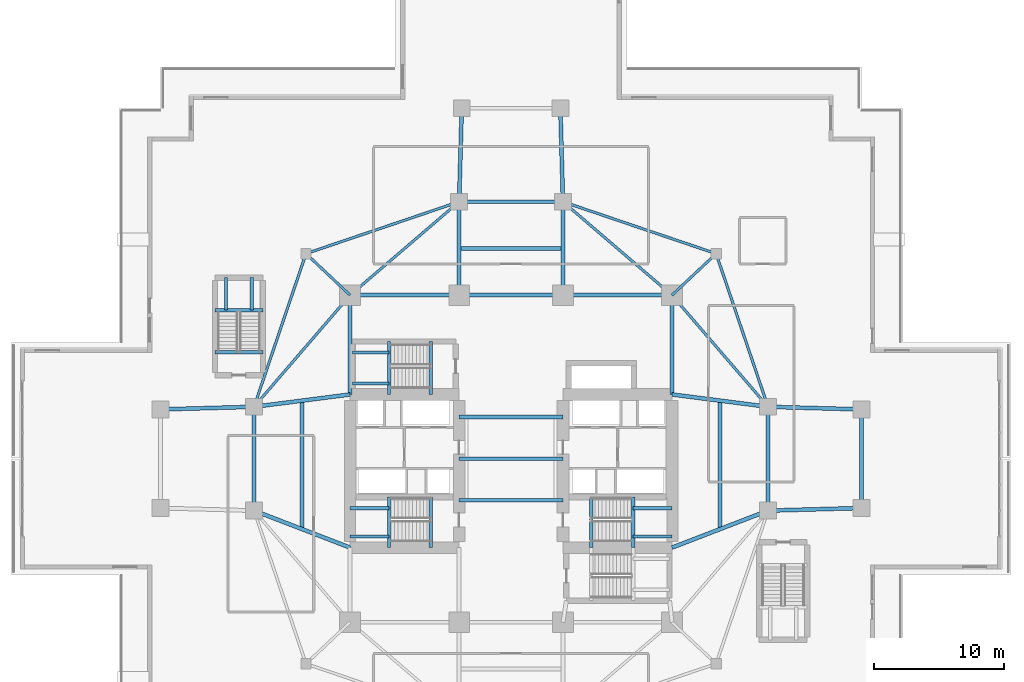
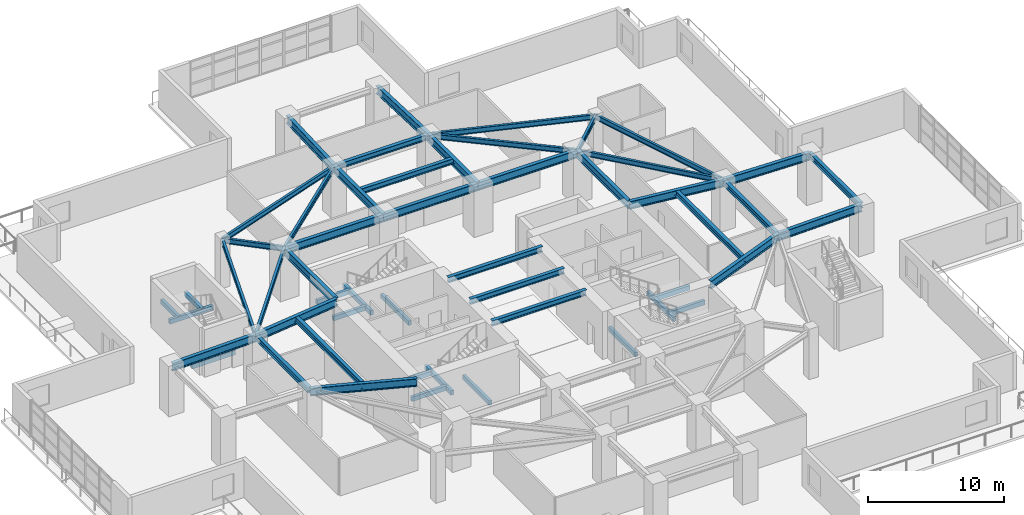
# One storey, part 7 of 23: 52 beams.
"""IFC4 building model written with IfcOpenShell, lengths in metres."""

from ifc_helpers import new_model, si_unit, direction, frame, origin, origin_2d, place, context, subcontext, project, spatial, rectangle, i_section, extrude, material, material_profile, profile_set, type_object, element, save


model = new_model("IFC4")

# Units and contexts
model_context = context("Model", 3, precision=1e-05, world=origin(), true_north=direction((0.0, 1.0)))
body_context = subcontext(model_context, "Body", "Model", "MODEL_VIEW")
ifc_project = project(units=[si_unit("LENGTHUNIT", "METRE"), si_unit("AREAUNIT", "SQUARE_METRE"), si_unit("VOLUMEUNIT", "CUBIC_METRE"), si_unit("PLANEANGLEUNIT", "RADIAN"), si_unit("MASSUNIT", "GRAM", prefix="KILO")], contexts=[model_context])

# Site, building, storey
site_placement = place(None, origin())
site = spatial("IfcSite", under=ifc_project, at=site_placement, CompositionType="ELEMENT")
building_placement = place(site_placement, origin())
building = spatial("IfcBuilding", under=site, at=building_placement, Name="Qingluan Cross Belvedere", CompositionType="ELEMENT")
storey_placement = place(building_placement, frame((0.0, 0.0, 10.199951171875)))
storey = spatial("IfcBuildingStorey", under=building, at=storey_placement, Name="L03", CompositionType="ELEMENT", Elevation=10.199951171875)

# Beams
ifc_material_1 = material(Name="Concrete C45", Category="concrete")
ifc_material_profile_1 = material_profile(ifc_material_1, rectangle(XDim=0.25, YDim=0.39990234375, at=origin_2d()), Name="RC250x400")
ifc_profile_set_1 = profile_set([ifc_material_profile_1], Name="Concrete C45")
beam_type_1 = type_object("IfcBeamType", Name="RC_Lintel_RC250x400", PredefinedType="LINTEL", material=ifc_profile_set_1)
for number, where, z_axis, x_axis, name in (
    (1, (-6.179931640625, -6.85009765625, -0.199951171875), (0.0, 1.0, 0.0), (-1.0, 0.0, 0.0), "Stair ST1 landing beam L03"),
    (2, (6.179931640625, -6.85009765625, -0.199951171875), (0.0, 1.0, 0.0), (-1.0, 0.0, 0.0), "Stair ST2 landing beam L03"),
):
    element("IfcBeam", number, at=place(storey_placement, frame(where, z_axis=z_axis, x_axis=x_axis)), inside=storey, type_object=beam_type_1, Name=name, PredefinedType="LINTEL", context=body_context, shape_type="SweptSolid", body=[
        extrude(rectangle(XDim=0.25, YDim=0.39990234375, at=origin_2d()), origin(), (0.0, 0.0, 1.0), 3.89013671875),
    ])
beam_1_placement = place(storey_placement, frame((-6.179931640625, 4.949951171875, -0.199951171875), z_axis=(0.0, 1.0, 0.0), x_axis=(-1.0, 0.0, 0.0)))
element("IfcBeam", 3, at=beam_1_placement, inside=storey, type_object=beam_type_1, Name="Stair ST3 landing beam L03", PredefinedType="LINTEL", context=body_context, shape_type="SweptSolid", body=[
    extrude(rectangle(XDim=0.25, YDim=0.39990234375, at=origin_2d()), origin(), (0.0, 0.0, 1.0), 4.090087890625),
])
beam_2_placement = place(storey_placement, frame((-22.820068359375, 8.2099609375, -0.199951171875), z_axis=(1.0, 0.0, 0.0), x_axis=(0.0, 1.0, 0.0)))
element("IfcBeam", 4, at=beam_2_placement, inside=storey, type_object=beam_type_1, Name="Stair ST5 landing beam L03", PredefinedType="LINTEL", context=body_context, shape_type="SweptSolid", body=[
    extrude(rectangle(XDim=0.25, YDim=0.39990234375, at=origin_2d()), origin(), (0.0, 0.0, 1.0), 3.699951171875),
])
beam_3_placement = place(storey_placement, frame((-9.409912109375, -6.85009765625, 1.85009765625), z_axis=(0.0, 1.0, 0.0), x_axis=(-1.0, 0.0, 0.0)))
element("IfcBeam", 5, at=beam_3_placement, inside=storey, type_object=beam_type_1, Name="Stair ST1 beam A L03", PredefinedType="LINTEL", context=body_context, shape_type="SweptSolid", body=[
    extrude(rectangle(XDim=0.25, YDim=0.39990234375, at=origin_2d()), origin(), (0.0, 0.0, 1.0), 3.89013671875),
])
for number, where, z_axis, x_axis, name in (
    (6, (-12.39990234375, -6.0, 1.85009765625), (1.0, 0.0, 0.0), (0.0, 1.0, 0.0), "Stair ST1 beam B L03"),
    (7, (-12.39990234375, -3.81005859375, 1.85009765625), (1.0, 0.0, 0.0), (0.0, 1.0, 0.0), "Stair ST1 beam C L03"),
):
    element("IfcBeam", number, at=place(storey_placement, frame(where, z_axis=z_axis, x_axis=x_axis)), inside=storey, type_object=beam_type_1, Name=name, PredefinedType="LINTEL", context=body_context, shape_type="SweptSolid", body=[
        extrude(rectangle(XDim=0.25, YDim=0.39990234375, at=origin_2d()), origin(), (0.0, 0.0, 1.0), 2.989990234375),
    ])
beam_4_placement = place(storey_placement, frame((9.409912109375, -6.85009765625, 1.85009765625), z_axis=(0.0, 1.0, 0.0), x_axis=(-1.0, 0.0, 0.0)))
element("IfcBeam", 8, at=beam_4_placement, inside=storey, type_object=beam_type_1, Name="Stair ST2 beam A L03", PredefinedType="LINTEL", context=body_context, shape_type="SweptSolid", body=[
    extrude(rectangle(XDim=0.25, YDim=0.39990234375, at=origin_2d()), origin(), (0.0, 0.0, 1.0), 3.89013671875),
])
for number, where, z_axis, x_axis, name in (
    (9, (12.39990234375, -6.0, 1.85009765625), (-1.0, 0.0, 0.0), (0.0, -1.0, 0.0), "Stair ST2 beam B L03"),
    (10, (12.39990234375, -3.81005859375, 1.85009765625), (-1.0, 0.0, 0.0), (0.0, -1.0, 0.0), "Stair ST2 beam C L03"),
):
    element("IfcBeam", number, at=place(storey_placement, frame(where, z_axis=z_axis, x_axis=x_axis)), inside=storey, type_object=beam_type_1, Name=name, PredefinedType="LINTEL", context=body_context, shape_type="SweptSolid", body=[
        extrude(rectangle(XDim=0.25, YDim=0.39990234375, at=origin_2d()), origin(), (0.0, 0.0, 1.0), 2.989990234375),
    ])
beam_5_placement = place(storey_placement, frame((-9.409912109375, 4.949951171875, 1.85009765625), z_axis=(0.0, 1.0, 0.0), x_axis=(-1.0, 0.0, 0.0)))
element("IfcBeam", 11, at=beam_5_placement, inside=storey, type_object=beam_type_1, Name="Stair ST3 beam A L03", PredefinedType="LINTEL", context=body_context, shape_type="SweptSolid", body=[
    extrude(rectangle(XDim=0.25, YDim=0.39990234375, at=origin_2d()), origin(), (0.0, 0.0, 1.0), 4.090087890625),
])
for number, where, z_axis, x_axis, name in (
    (12, (-12.219970703125, 5.800048828125, 1.85009765625), (1.0, 0.0, 0.0), (0.0, 1.0, 0.0), "Stair ST3 beam B L03"),
    (13, (-12.219970703125, 8.18994140625, 1.85009765625), (1.0, 0.0, 0.0), (0.0, 1.0, 0.0), "Stair ST3 beam C L03"),
):
    element("IfcBeam", number, at=place(storey_placement, frame(where, z_axis=z_axis, x_axis=x_axis)), inside=storey, type_object=beam_type_1, Name=name, PredefinedType="LINTEL", context=body_context, shape_type="SweptSolid", body=[
        extrude(rectangle(XDim=0.25, YDim=0.39990234375, at=origin_2d()), origin(), (0.0, 0.0, 1.0), 2.81005859375),
    ])
beam_6_placement = place(storey_placement, frame((-22.820068359375, 11.43994140625, 1.85009765625), z_axis=(1.0, 0.0, 0.0), x_axis=(0.0, 1.0, 0.0)))
element("IfcBeam", 14, at=beam_6_placement, inside=storey, type_object=beam_type_1, Name="Stair ST5 beam A L03", PredefinedType="LINTEL", context=body_context, shape_type="SweptSolid", body=[
    extrude(rectangle(XDim=0.25, YDim=0.39990234375, at=origin_2d()), origin(), (0.0, 0.0, 1.0), 3.699951171875),
])
for number, where, z_axis, x_axis, name in (
    (15, (-21.969970703125, 13.949951171875, 1.85009765625), (0.0, -1.0, 0.0), (1.0, 0.0, 0.0), "Stair ST5 beam B L03"),
    (16, (-19.969970703125, 13.949951171875, 1.85009765625), (0.0, -1.0, 0.0), (1.0, 0.0, 0.0), "Stair ST5 beam C L03"),
):
    element("IfcBeam", number, at=place(storey_placement, frame(where, z_axis=z_axis, x_axis=x_axis)), inside=storey, type_object=beam_type_1, Name=name, PredefinedType="LINTEL", context=body_context, shape_type="SweptSolid", body=[
        extrude(rectangle(XDim=0.25, YDim=0.39990234375, at=origin_2d()), origin(), (0.0, 0.0, 1.0), 2.510009765625),
    ])
ifc_material_2 = material(Name="Steel Q420GJB", Category="steel")
ifc_material_profile_2 = material_profile(ifc_material_2, i_section(OverallWidth=0.300048828125, OverallDepth=0.488037109375, WebThickness=0.010986328125, FlangeThickness=0.01806640625, FilletRadius=0.02197265625, at=origin_2d()), Name="HM488x300x11x18")
ifc_profile_set_2 = profile_set([ifc_material_profile_2], Name="Steel Q420GJB")
beam_type_2 = type_object("IfcBeamType", Name="Steel_Beam_HM488x300x11x18", PredefinedType="BEAM", material=ifc_profile_set_2)
for number, where, z_axis, x_axis, name in (
    (17, (-4.0, -3.199951171875, 4.006103515625), (1.0, 0.0, 0.0), (0.0, 1.0, 0.0), "Hall beam L03-CH1"),
    (18, (-4.0, 0.0, 4.006103515625), (1.0, 0.0, 0.0), (0.0, 1.0, 0.0), "Hall beam L03-CH2"),
    (19, (-4.0, 3.199951171875, 4.006103515625), (1.0, 0.0, 0.0), (0.0, 1.0, 0.0), "Hall beam L03-CH3"),
    (20, (19.800048828125, -4.0, 4.006103515625), (0.0, 1.0, 0.0), (-1.0, 0.0, 0.0), "Arm E tie L03"),
):
    element("IfcBeam", number, at=place(storey_placement, frame(where, z_axis=z_axis, x_axis=x_axis)), inside=storey, type_object=beam_type_2, Name=name, PredefinedType="BEAM", context=body_context, shape_type="SweptSolid", body=[
        extrude(i_section(OverallWidth=0.300048828125, OverallDepth=0.488037109375, WebThickness=0.010986328125, FlangeThickness=0.01806640625, FilletRadius=0.02197265625, at=origin_2d()), origin(), (0.0, 0.0, 1.0), 8.0),
    ])
beam_7_placement = place(storey_placement, frame((16.10009765625, -5.425048828125, 4.006103515625), z_axis=(0.0, 1.0, 0.0), x_axis=(-1.0, 0.0, 0.0)))
element("IfcBeam", 21, at=beam_7_placement, inside=storey, type_object=beam_type_2, Name="Arm E beam L03", PredefinedType="BEAM", context=body_context, shape_type="SweptSolid", body=[
    extrude(i_section(OverallWidth=0.300048828125, OverallDepth=0.488037109375, WebThickness=0.010986328125, FlangeThickness=0.01806640625, FilletRadius=0.02197265625, at=origin_2d()), origin(), (0.0, 0.0, 1.0), 9.900146484375),
])
beam_8_placement = place(storey_placement, frame((27.0, -3.800048828125, 4.006103515625), z_axis=(0.0, 1.0, 0.0), x_axis=(-1.0, 0.0, 0.0)))
element("IfcBeam", 22, at=beam_8_placement, inside=storey, type_object=beam_type_2, Name="Arm E tip transverse beam L03", PredefinedType="BEAM", context=body_context, shape_type="SweptSolid", body=[
    extrude(i_section(OverallWidth=0.300048828125, OverallDepth=0.488037109375, WebThickness=0.010986328125, FlangeThickness=0.01806640625, FilletRadius=0.02197265625, at=origin_2d()), origin(), (0.0, 0.0, 1.0), 7.60009765625),
])
beam_9_placement = place(storey_placement, frame((-19.800048828125, -4.0, 4.006103515625), z_axis=(0.0, 1.0, 0.0), x_axis=(-1.0, 0.0, 0.0)))
element("IfcBeam", 23, at=beam_9_placement, inside=storey, type_object=beam_type_2, Name="Arm W tie L03", PredefinedType="BEAM", context=body_context, shape_type="SweptSolid", body=[
    extrude(i_section(OverallWidth=0.300048828125, OverallDepth=0.488037109375, WebThickness=0.010986328125, FlangeThickness=0.01806640625, FilletRadius=0.02197265625, at=origin_2d()), origin(), (0.0, 0.0, 1.0), 8.0),
])
beam_10_placement = place(storey_placement, frame((-16.10009765625, -5.425048828125, 4.006103515625), z_axis=(0.0, 1.0, 0.0), x_axis=(-1.0, 0.0, 0.0)))
element("IfcBeam", 24, at=beam_10_placement, inside=storey, type_object=beam_type_2, Name="Arm W beam L03", PredefinedType="BEAM", context=body_context, shape_type="SweptSolid", body=[
    extrude(i_section(OverallWidth=0.300048828125, OverallDepth=0.488037109375, WebThickness=0.010986328125, FlangeThickness=0.01806640625, FilletRadius=0.02197265625, at=origin_2d()), origin(), (0.0, 0.0, 1.0), 9.900146484375),
])
for number, where, z_axis, x_axis, name in (
    (25, (-4.0, 19.800048828125, 4.006103515625), (1.0, 0.0, 0.0), (0.0, 1.0, 0.0), "Arm N tie L03"),
    (26, (-4.0, 16.199951171875, 4.006103515625), (1.0, 0.0, 0.0), (0.0, 1.0, 0.0), "Arm N beam L03"),
):
    element("IfcBeam", number, at=place(storey_placement, frame(where, z_axis=z_axis, x_axis=x_axis)), inside=storey, type_object=beam_type_2, Name=name, PredefinedType="BEAM", context=body_context, shape_type="SweptSolid", body=[
        extrude(i_section(OverallWidth=0.300048828125, OverallDepth=0.488037109375, WebThickness=0.010986328125, FlangeThickness=0.01806640625, FilletRadius=0.02197265625, at=origin_2d()), origin(), (0.0, 0.0, 1.0), 8.0),
    ])
ifc_material_3 = material(Name="Steel Q420GJB", Category="steel")
ifc_material_profile_3 = material_profile(ifc_material_3, i_section(OverallWidth=0.199951171875, OverallDepth=0.449951171875, WebThickness=0.009033203125, FlangeThickness=0.013916015625, FilletRadius=0.01611328125, at=origin_2d()), Name="HN450x200x9x14")
ifc_profile_set_3 = profile_set([ifc_material_profile_3], Name="Steel Q420GJB")
beam_type_3 = type_object("IfcBeamType", Name="Steel_Beam_HN450x200x9x14", PredefinedType="JOIST", material=ifc_profile_set_3)
beam_11_placement = place(storey_placement, frame((12.39990234375, 12.60009765625, 4.025146484375), z_axis=(0.728219948308, 0.685343495546, 0.0), x_axis=(-0.685343495546, 0.728219948308, 0.0)))
element("IfcBeam", 27, at=beam_11_placement, inside=storey, type_object=beam_type_3, Name="Corner beam 1 L03-RNE", PredefinedType="JOIST", context=body_context, shape_type="SweptSolid", body=[
    extrude(i_section(OverallWidth=0.199951171875, OverallDepth=0.449951171875, WebThickness=0.009033203125, FlangeThickness=0.013916015625, FilletRadius=0.01611328125, at=origin_2d()), origin(), (0.0, 0.0, 1.0), 4.669189453125),
])
for number, where, z_axis, x_axis, name in (
    (28, (15.800048828125, 15.800048828125, 4.025146484375), (-0.947066283324, 0.321038089628, 0.0), (-0.321038089628, -0.947066283324, 0.0), "Corner beam 2 L03-RNE"),
    (29, (15.800048828125, 15.800048828125, 4.025146484375), (0.321038089628, -0.947066283324, 0.0), (0.947066283324, 0.321038089628, 0.0), "Corner beam 3 L03-RNE"),
):
    element("IfcBeam", number, at=place(storey_placement, frame(where, z_axis=z_axis, x_axis=x_axis)), inside=storey, type_object=beam_type_3, Name=name, PredefinedType="JOIST", context=body_context, shape_type="SweptSolid", body=[
        extrude(i_section(OverallWidth=0.199951171875, OverallDepth=0.449951171875, WebThickness=0.009033203125, FlangeThickness=0.013916015625, FilletRadius=0.01611328125, at=origin_2d()), origin(), (0.0, 0.0, 1.0), 12.45947265625),
    ])
beam_12_placement = place(storey_placement, frame((12.39990234375, 12.60009765625, 4.025146484375), z_axis=(0.652245077546, -0.75800815221, 0.0), x_axis=(0.75800815221, 0.652245077546, 0.0)))
element("IfcBeam", 30, at=beam_12_placement, inside=storey, type_object=beam_type_3, Name="Corner beam 4 L03-RNE", PredefinedType="JOIST", context=body_context, shape_type="SweptSolid", body=[
    extrude(i_section(OverallWidth=0.199951171875, OverallDepth=0.449951171875, WebThickness=0.009033203125, FlangeThickness=0.013916015625, FilletRadius=0.01611328125, at=origin_2d()), origin(), (0.0, 0.0, 1.0), 11.345703125),
])
beam_13_placement = place(storey_placement, frame((12.39990234375, 12.60009765625, 4.025146484375), z_axis=(-0.759255044656, 0.650793190779, 0.0), x_axis=(-0.650793190779, -0.759255044656, 0.0)))
element("IfcBeam", 31, at=beam_13_placement, inside=storey, type_object=beam_type_3, Name="Corner beam 5 L03-RNE", PredefinedType="JOIST", context=body_context, shape_type="SweptSolid", body=[
    extrude(i_section(OverallWidth=0.199951171875, OverallDepth=0.449951171875, WebThickness=0.009033203125, FlangeThickness=0.013916015625, FilletRadius=0.01611328125, at=origin_2d()), origin(), (0.0, 0.0, 1.0), 11.063232421875),
])
beam_14_placement = place(storey_placement, frame((-12.39990234375, 12.60009765625, 4.025146484375), z_axis=(-0.728219948308, 0.685343495546, 0.0), x_axis=(-0.685343495546, -0.728219948308, 0.0)))
element("IfcBeam", 32, at=beam_14_placement, inside=storey, type_object=beam_type_3, Name="Corner beam 1 L03-RNW", PredefinedType="JOIST", context=body_context, shape_type="SweptSolid", body=[
    extrude(i_section(OverallWidth=0.199951171875, OverallDepth=0.449951171875, WebThickness=0.009033203125, FlangeThickness=0.013916015625, FilletRadius=0.01611328125, at=origin_2d()), origin(), (0.0, 0.0, 1.0), 4.669189453125),
])
for number, where, z_axis, x_axis, name in (
    (33, (-15.800048828125, 15.800048828125, 4.025146484375), (0.947066283324, 0.321038089628, 0.0), (-0.321038089628, 0.947066283324, 0.0), "Corner beam 2 L03-RNW"),
    (34, (-15.800048828125, 15.800048828125, 4.025146484375), (-0.321038089628, -0.947066283324, 0.0), (0.947066283324, -0.321038089628, 0.0), "Corner beam 3 L03-RNW"),
):
    element("IfcBeam", number, at=place(storey_placement, frame(where, z_axis=z_axis, x_axis=x_axis)), inside=storey, type_object=beam_type_3, Name=name, PredefinedType="JOIST", context=body_context, shape_type="SweptSolid", body=[
        extrude(i_section(OverallWidth=0.199951171875, OverallDepth=0.449951171875, WebThickness=0.009033203125, FlangeThickness=0.013916015625, FilletRadius=0.01611328125, at=origin_2d()), origin(), (0.0, 0.0, 1.0), 12.45947265625),
    ])
beam_15_placement = place(storey_placement, frame((-12.39990234375, 12.60009765625, 4.025146484375), z_axis=(-0.652245077546, -0.75800815221, 0.0), x_axis=(0.75800815221, -0.652245077546, 0.0)))
element("IfcBeam", 35, at=beam_15_placement, inside=storey, type_object=beam_type_3, Name="Corner beam 4 L03-RNW", PredefinedType="JOIST", context=body_context, shape_type="SweptSolid", body=[
    extrude(i_section(OverallWidth=0.199951171875, OverallDepth=0.449951171875, WebThickness=0.009033203125, FlangeThickness=0.013916015625, FilletRadius=0.01611328125, at=origin_2d()), origin(), (0.0, 0.0, 1.0), 11.345703125),
])
beam_16_placement = place(storey_placement, frame((-12.39990234375, 12.60009765625, 4.025146484375), z_axis=(0.759255044656, 0.650793190779, 0.0), x_axis=(-0.650793190779, 0.759255044656, 0.0)))
element("IfcBeam", 36, at=beam_16_placement, inside=storey, type_object=beam_type_3, Name="Corner beam 5 L03-RNW", PredefinedType="JOIST", context=body_context, shape_type="SweptSolid", body=[
    extrude(i_section(OverallWidth=0.199951171875, OverallDepth=0.449951171875, WebThickness=0.009033203125, FlangeThickness=0.013916015625, FilletRadius=0.01611328125, at=origin_2d()), origin(), (0.0, 0.0, 1.0), 11.063232421875),
])
ifc_material_4 = material(Name="Steel Q420GJB", Category="steel")
ifc_material_profile_4 = material_profile(ifc_material_4, i_section(OverallWidth=0.300048828125, OverallDepth=0.699951171875, WebThickness=0.014892578125, FlangeThickness=0.027099609375, FilletRadius=0.027099609375, at=origin_2d()), Name="HEB700")
ifc_profile_set_4 = profile_set([ifc_material_profile_4], Name="Steel Q420GJB")
beam_type_4 = type_object("IfcBeamType", Name="Steel_Girder_HEB700", PredefinedType="USERDEFINED", material=ifc_profile_set_4)
beam_17_placement = place(storey_placement, frame((-12.39990234375, 12.60009765625, 3.900146484375), z_axis=(1.0, 0.0, 0.0), x_axis=(0.0, 1.0, 0.0)))
element("IfcBeam", 37, at=beam_17_placement, inside=storey, type_object=beam_type_4, Name="Hub girder L03-HG-N1", ObjectType="GIRDER", PredefinedType="USERDEFINED", context=body_context, shape_type="SweptSolid", body=[
    extrude(i_section(OverallWidth=0.300048828125, OverallDepth=0.699951171875, WebThickness=0.014892578125, FlangeThickness=0.027099609375, FilletRadius=0.027099609375, at=origin_2d()), origin(), (0.0, 0.0, 1.0), 8.39990234375),
])
beam_18_placement = place(storey_placement, frame((-4.0, 12.60009765625, 3.900146484375), z_axis=(1.0, 0.0, 0.0), x_axis=(0.0, 1.0, 0.0)))
element("IfcBeam", 38, at=beam_18_placement, inside=storey, type_object=beam_type_4, Name="Hub girder L03-HG-N2", ObjectType="GIRDER", PredefinedType="USERDEFINED", context=body_context, shape_type="SweptSolid", body=[
    extrude(i_section(OverallWidth=0.300048828125, OverallDepth=0.699951171875, WebThickness=0.014892578125, FlangeThickness=0.027099609375, FilletRadius=0.027099609375, at=origin_2d()), origin(), (0.0, 0.0, 1.0), 8.0),
])
beam_19_placement = place(storey_placement, frame((4.0, 12.60009765625, 3.900146484375), z_axis=(1.0, 0.0, 0.0), x_axis=(0.0, 1.0, 0.0)))
element("IfcBeam", 39, at=beam_19_placement, inside=storey, type_object=beam_type_4, Name="Hub girder L03-HG-N3", ObjectType="GIRDER", PredefinedType="USERDEFINED", context=body_context, shape_type="SweptSolid", body=[
    extrude(i_section(OverallWidth=0.300048828125, OverallDepth=0.699951171875, WebThickness=0.014892578125, FlangeThickness=0.027099609375, FilletRadius=0.027099609375, at=origin_2d()), origin(), (0.0, 0.0, 1.0), 8.39990234375),
])
for number, where, z_axis, x_axis, name in (
    (40, (-12.39990234375, 4.949951171875, 3.900146484375), (0.0, 1.0, 0.0), (-1.0, 0.0, 0.0), "Hub girder L03-HG-W2"),
    (41, (12.39990234375, 4.949951171875, 3.900146484375), (0.0, 1.0, 0.0), (-1.0, 0.0, 0.0), "Hub girder L03-HG-E2"),
):
    element("IfcBeam", number, at=place(storey_placement, frame(where, z_axis=z_axis, x_axis=x_axis)), inside=storey, type_object=beam_type_4, Name=name, ObjectType="GIRDER", PredefinedType="USERDEFINED", context=body_context, shape_type="SweptSolid", body=[
        extrude(i_section(OverallWidth=0.300048828125, OverallDepth=0.699951171875, WebThickness=0.014892578125, FlangeThickness=0.027099609375, FilletRadius=0.027099609375, at=origin_2d()), origin(), (0.0, 0.0, 1.0), 7.650146484375),
    ])
beam_20_placement = place(storey_placement, frame((12.39990234375, -6.85009765625, 3.900146484375), z_axis=(0.933181258889, 0.359406090735, 0.0), x_axis=(-0.359406090735, 0.933181258889, 0.0)))
element("IfcBeam", 42, at=beam_20_placement, inside=storey, type_object=beam_type_4, Name="Arm E radial girder A L03", ObjectType="GIRDER", PredefinedType="USERDEFINED", context=body_context, shape_type="SweptSolid", body=[
    extrude(i_section(OverallWidth=0.300048828125, OverallDepth=0.699951171875, WebThickness=0.014892578125, FlangeThickness=0.027099609375, FilletRadius=0.027099609375, at=origin_2d()), origin(), (0.0, 0.0, 1.0), 7.929931640625),
])
beam_21_placement = place(storey_placement, frame((12.39990234375, 4.949951171875, 3.900146484375), z_axis=(0.991861120628, -0.12732445714, 0.0), x_axis=(0.12732445714, 0.991861120628, 0.0)))
element("IfcBeam", 43, at=beam_21_placement, inside=storey, type_object=beam_type_4, Name="Arm E radial girder B L03", ObjectType="GIRDER", PredefinedType="USERDEFINED", context=body_context, shape_type="SweptSolid", body=[
    extrude(i_section(OverallWidth=0.300048828125, OverallDepth=0.699951171875, WebThickness=0.014892578125, FlangeThickness=0.027099609375, FilletRadius=0.027099609375, at=origin_2d()), origin(), (0.0, 0.0, 1.0), 7.4609375),
])
for number, where, z_axis, x_axis, name in (
    (44, (19.800048828125, -4.0, 3.900146484375), (0.999614603568, 0.027760481514, 0.0), (-0.027760481514, 0.999614603568, 0.0), "Arm E outer radial girder A L03"),
    (45, (19.800048828125, 4.0, 3.900146484375), (0.999614603568, -0.027760481514, 0.0), (0.027760481514, 0.999614603568, 0.0), "Arm E outer radial girder B L03"),
):
    element("IfcBeam", number, at=place(storey_placement, frame(where, z_axis=z_axis, x_axis=x_axis)), inside=storey, type_object=beam_type_4, Name=name, ObjectType="GIRDER", PredefinedType="USERDEFINED", context=body_context, shape_type="SweptSolid", body=[
        extrude(i_section(OverallWidth=0.300048828125, OverallDepth=0.699951171875, WebThickness=0.014892578125, FlangeThickness=0.027099609375, FilletRadius=0.027099609375, at=origin_2d()), origin(), (0.0, 0.0, 1.0), 7.20263671875),
    ])
beam_22_placement = place(storey_placement, frame((-12.39990234375, -6.85009765625, 3.900146484375), z_axis=(-0.933181258889, 0.359406090735, 0.0), x_axis=(-0.359406090735, -0.933181258889, 0.0)))
element("IfcBeam", 46, at=beam_22_placement, inside=storey, type_object=beam_type_4, Name="Arm W radial girder A L03", ObjectType="GIRDER", PredefinedType="USERDEFINED", context=body_context, shape_type="SweptSolid", body=[
    extrude(i_section(OverallWidth=0.300048828125, OverallDepth=0.699951171875, WebThickness=0.014892578125, FlangeThickness=0.027099609375, FilletRadius=0.027099609375, at=origin_2d()), origin(), (0.0, 0.0, 1.0), 7.929931640625),
])
beam_23_placement = place(storey_placement, frame((-12.39990234375, 4.949951171875, 3.900146484375), z_axis=(-0.991861120628, -0.12732445714, 0.0), x_axis=(0.12732445714, -0.991861120628, 0.0)))
element("IfcBeam", 47, at=beam_23_placement, inside=storey, type_object=beam_type_4, Name="Arm W radial girder B L03", ObjectType="GIRDER", PredefinedType="USERDEFINED", context=body_context, shape_type="SweptSolid", body=[
    extrude(i_section(OverallWidth=0.300048828125, OverallDepth=0.699951171875, WebThickness=0.014892578125, FlangeThickness=0.027099609375, FilletRadius=0.027099609375, at=origin_2d()), origin(), (0.0, 0.0, 1.0), 7.4609375),
])
beam_24_placement = place(storey_placement, frame((-19.800048828125, 4.0, 3.900146484375), z_axis=(-0.999614603568, -0.027760481514, 0.0), x_axis=(0.027760481514, -0.999614603568, 0.0)))
element("IfcBeam", 48, at=beam_24_placement, inside=storey, type_object=beam_type_4, Name="Arm W outer radial girder B L03", ObjectType="GIRDER", PredefinedType="USERDEFINED", context=body_context, shape_type="SweptSolid", body=[
    extrude(i_section(OverallWidth=0.300048828125, OverallDepth=0.699951171875, WebThickness=0.014892578125, FlangeThickness=0.027099609375, FilletRadius=0.027099609375, at=origin_2d()), origin(), (0.0, 0.0, 1.0), 7.20263671875),
])
for number, where, z_axis, x_axis, name in (
    (49, (-4.0, 12.60009765625, 3.900146484375), (0.0, 1.0, 0.0), (-1.0, 0.0, 0.0), "Arm N radial girder A L03"),
    (50, (4.0, 12.60009765625, 3.900146484375), (0.0, 1.0, 0.0), (-1.0, 0.0, 0.0), "Arm N radial girder B L03"),
):
    element("IfcBeam", number, at=place(storey_placement, frame(where, z_axis=z_axis, x_axis=x_axis)), inside=storey, type_object=beam_type_4, Name=name, ObjectType="GIRDER", PredefinedType="USERDEFINED", context=body_context, shape_type="SweptSolid", body=[
        extrude(i_section(OverallWidth=0.300048828125, OverallDepth=0.699951171875, WebThickness=0.014892578125, FlangeThickness=0.027099609375, FilletRadius=0.027099609375, at=origin_2d()), origin(), (0.0, 0.0, 1.0), 7.199951171875),
    ])
for number, where, z_axis, x_axis, name in (
    (51, (-4.0, 19.800048828125, 3.900146484375), (0.027760481514, 0.999614603568, 0.0), (-0.999614603568, 0.027760481514, 0.0), "Arm N outer radial girder A L03"),
    (52, (4.0, 19.800048828125, 3.900146484375), (-0.027760481514, 0.999614603568, 0.0), (-0.999614603568, -0.027760481514, 0.0), "Arm N outer radial girder B L03"),
):
    element("IfcBeam", number, at=place(storey_placement, frame(where, z_axis=z_axis, x_axis=x_axis)), inside=storey, type_object=beam_type_4, Name=name, ObjectType="GIRDER", PredefinedType="USERDEFINED", context=body_context, shape_type="SweptSolid", body=[
        extrude(i_section(OverallWidth=0.300048828125, OverallDepth=0.699951171875, WebThickness=0.014892578125, FlangeThickness=0.027099609375, FilletRadius=0.027099609375, at=origin_2d()), origin(), (0.0, 0.0, 1.0), 7.20263671875),
    ])

save(model, "model.ifc")
